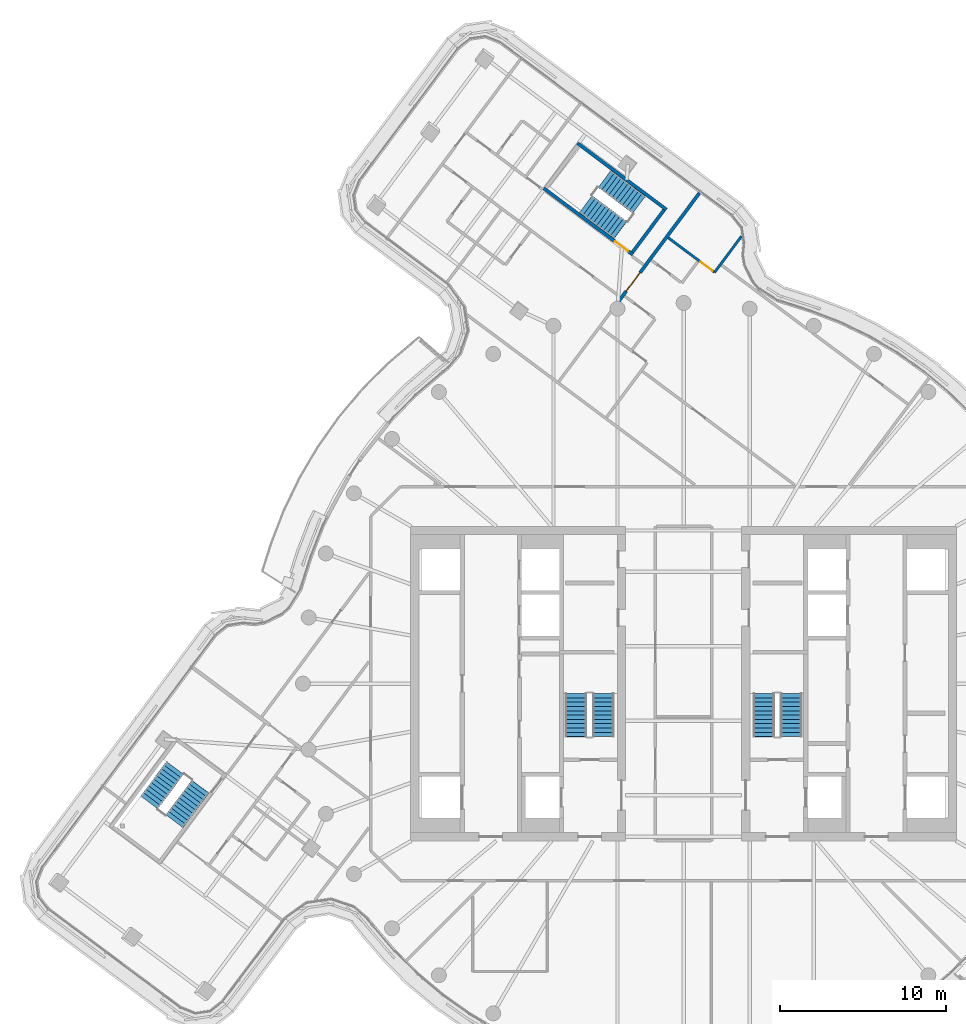
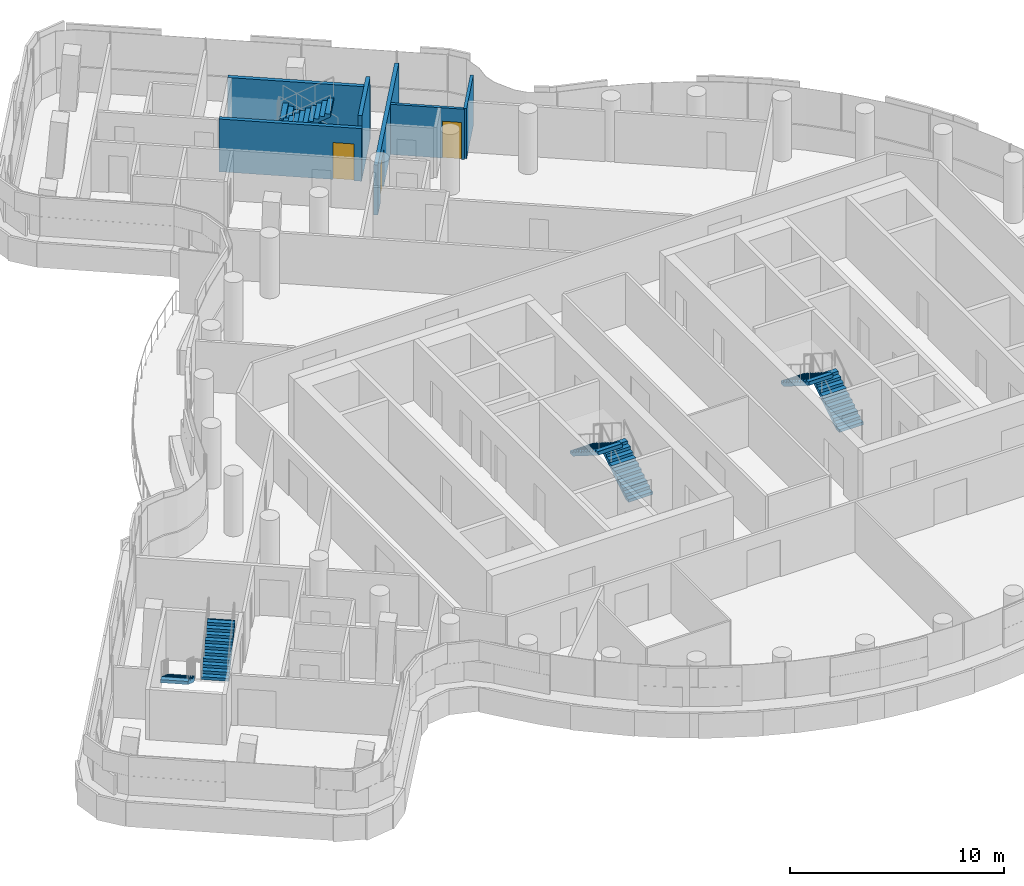
# One storey, part 21 of 27: 8 stair flights, 6 walls, 3 doors, 3 openings, 4 elements without a shape of their own.
"""IFC4 building model written with IfcOpenShell, lengths in metres."""

from ifc_helpers import new_model, si_unit, direction, frame, frame_2d, origin, place, context, subcontext, project, spatial, polyline, rectangle, outline, extrude, material, layer, layer_set, type_object, element, fill, aggregate, save


model = new_model("IFC4")

# Units and contexts
model_context = context("Model", 3, precision=1e-05, world=origin(), true_north=direction((0.0, 1.0)))
body_context = subcontext(model_context, "Body", "Model", "MODEL_VIEW")
ifc_project = project(units=[si_unit("LENGTHUNIT", "METRE"), si_unit("AREAUNIT", "SQUARE_METRE"), si_unit("VOLUMEUNIT", "CUBIC_METRE"), si_unit("PLANEANGLEUNIT", "RADIAN"), si_unit("MASSUNIT", "GRAM", prefix="KILO")], contexts=[model_context])

# Site, building, storey
site_placement = place(None, origin())
site = spatial("IfcSite", under=ifc_project, at=site_placement, CompositionType="ELEMENT")
building_placement = place(site_placement, origin())
building = spatial("IfcBuilding", under=site, at=building_placement, Name="Tamarind Cross Interchange Tower", CompositionType="ELEMENT")
storey_placement = place(building_placement, frame((0.0, 0.0, 227.10009765625)))
storey = spatial("IfcBuildingStorey", under=building, at=storey_placement, Name="L57", CompositionType="ELEMENT", Elevation=227.10009765625)

# Wall, opening, door
ifc_material_1 = material(Name="Gypsum board partition on steel studs", Category="steel")
ifc_layer_1 = layer(ifc_material_1, 0.14990234375)
ifc_layer_set_1 = layer_set([ifc_layer_1], Name="Gypsum board partition on steel studs")
wall_type_1 = type_object("IfcWallType", Name="Partition 150 mm EI 120", PredefinedType="PARTITIONING", material=ifc_layer_set_1)
wall_1_placement = place(storey_placement, frame((-0.932861328125, 26.937255859375, 0.0), z_axis=(0.0, 0.0, 1.0), x_axis=(0.801462729776, -0.598044724732, 0.0)))
wall_1 = element("IfcWall", 1, at=wall_1_placement, inside=storey, type_object=wall_type_1, Name="Partition L57-023", PredefinedType="PARTITIONING", context=body_context, shape_type="SweptSolid", body=[
    extrude(rectangle(XDim=3.479248046875, YDim=0.14990234375, at=frame_2d((1.73974609375, 0.0))), origin(), (0.0, 0.0, 1.0), 2.864013671875),
])
opening_1_placement = place(wall_1_placement, frame((2.44921875, 0.0, 0.0)))
opening_1 = element("IfcOpeningElement", 2, at=opening_1_placement, cuts=wall_1, Name="Opening D13", PredefinedType="OPENING", context=body_context, shape_type="SweptSolid", body=[
    extrude(rectangle(XDim=0.89990234375, YDim=2.10009765625, at=frame_2d((0.449951171875, 1.050048828125))), frame((0.0, 0.0849609375, 0.0), z_axis=(0.0, -1.0, 0.0), x_axis=(1.0, 0.0, 0.0)), (0.0, 0.0, 1.0), 0.169921875),
])
ifc_material_2 = material(Name="Fire-resisting door set")
door_type_1 = type_object("IfcDoorType", Name="Interior door 900 x 2100 FD60S", OperationType="SINGLE_SWING_LEFT", PredefinedType="DOOR", material=ifc_material_2)
door_1_placement = place(opening_1_placement, origin())
door_1 = element("IfcDoor", 3, at=door_1_placement, inside=storey, type_object=door_type_1, Name="Door D13", OperationType="SINGLE_SWING_LEFT", OverallHeight=2.10009765625, OverallWidth=0.89990234375, PredefinedType="DOOR", context=body_context, shape_type="SweptSolid", body=[
    extrude(rectangle(XDim=0.89990234375, YDim=2.10009765625, at=frame_2d((0.449951171875, 1.050048828125))), frame((0.0, 0.02490234375, 0.0), z_axis=(0.0, -1.0, 0.0), x_axis=(1.0, 0.0, 0.0)), (0.0, 0.0, 1.0), 0.050048828125),
])
fill(opening_1, door_1)

# Wall
wall_2_placement = place(storey_placement, frame((1.87158203125, 24.84521484375, 0.0), z_axis=(0.0, 0.0, 1.0), x_axis=(0.597735174372, 0.801693620605, 0.0)))
element("IfcWall", 4, at=wall_2_placement, inside=storey, type_object=wall_type_1, Name="Partition L57-054", PredefinedType="PARTITIONING", context=body_context, shape_type="SweptSolid", body=[
    extrude(rectangle(XDim=2.72802734375, YDim=0.14990234375, at=frame_2d((1.364013671875, 0.0))), origin(), (0.0, 0.0, 1.0), 2.864013671875),
])

# Wall, opening, door
ifc_layer_2 = layer(ifc_material_1, 0.199951171875)
ifc_layer_set_2 = layer_set([ifc_layer_2], Name="Gypsum board partition on steel studs")
wall_type_2 = type_object("IfcWallType", Name="Partition 200 mm EI 180", PredefinedType="PARTITIONING", material=ifc_layer_set_2)
wall_3_placement = place(storey_placement, frame((-4.029052734375, 22.953857421875, 0.0), z_axis=(0.0, 0.0, 1.0), x_axis=(0.597834716072, 0.80161939364, 0.0)))
wall_3 = element("IfcWall", 5, at=wall_3_placement, inside=storey, type_object=wall_type_2, Name="Partition L57-052", PredefinedType="PARTITIONING", context=body_context, shape_type="SweptSolid", body=[
    extrude(rectangle(XDim=8.343017578125, YDim=0.199951171875, at=frame_2d((4.17138671875, 0.0))), origin(), (0.0, 0.0, 1.0), 2.864013671875),
])
opening_2_placement = place(wall_3_placement, frame((0.944091796875, 0.0, 0.0)))
opening_2 = element("IfcOpeningElement", 6, at=opening_2_placement, cuts=wall_3, Name="Opening D30", PredefinedType="OPENING", context=body_context, shape_type="SweptSolid", body=[
    extrude(rectangle(XDim=1.39990234375, YDim=2.10009765625, at=frame_2d((0.699951171875, 1.050048828125))), frame((0.0, 0.10986328125, 0.0), z_axis=(0.0, -1.0, 0.0), x_axis=(1.0, 0.0, 0.0)), (0.0, 0.0, 1.0), 0.219970703125),
])
door_type_2 = type_object("IfcDoorType", Name="Interior door 1400 x 2100 FD120S", OperationType="DOUBLE_DOOR_SINGLE_SWING", PredefinedType="DOOR", material=ifc_material_2)
door_2_placement = place(opening_2_placement, frame((1.39990234375, 0.0, 0.0), z_axis=(0.0, 0.0, 1.0), x_axis=(-1.0, 0.0, 0.0)))
door_2 = element("IfcDoor", 7, at=door_2_placement, inside=storey, type_object=door_type_2, Name="Door D30", OperationType="DOUBLE_DOOR_SINGLE_SWING", OverallHeight=2.10009765625, OverallWidth=1.39990234375, PredefinedType="DOOR", context=body_context, shape_type="SweptSolid", body=[
    extrude(rectangle(XDim=1.39990234375, YDim=2.10009765625, at=frame_2d((0.699951171875, 1.050048828125))), frame((0.0, 0.02490234375, 0.0), z_axis=(0.0, -1.0, 0.0), x_axis=(1.0, 0.0, 0.0)), (0.0, 0.0, 1.0), 0.050048828125),
])
fill(opening_2, door_2)

ifc_material_3 = material(Name="Concrete C40", Category="concrete")
ifc_layer_3 = layer(ifc_material_3, 0.199951171875)
ifc_layer_set_3 = layer_set([ifc_layer_3], Name="Concrete C40")
wall_type_3 = type_object("IfcWallType", Name="Stair shaft wall 200 mm Concrete C40", PredefinedType="SHEAR", material=ifc_layer_set_3)
wall_4_placement = place(storey_placement, frame((-3.070556640625, 25.91162109375, -0.14013671875), z_axis=(0.0, 0.0, 1.0), x_axis=(-0.801610604225, 0.597846501365, 0.0)))
wall_4 = element("IfcWall", 8, at=wall_4_placement, inside=storey, type_object=wall_type_3, Name="Core wall CWL-L57-ST4-H", PredefinedType="SHEAR", context=body_context, shape_type="SweptSolid", body=[
    extrude(rectangle(XDim=6.699951171875, YDim=0.199951171875, at=frame_2d((3.35009765625, 0.0))), origin(), (0.0, 0.0, 1.0), 3.004150390625),
])
opening_3_placement = place(wall_4_placement, frame((0.35009765625, 0.0, 0.0)))
opening_3 = element("IfcOpeningElement", 9, at=opening_3_placement, cuts=wall_4, Name="Opening ST4L57", PredefinedType="OPENING", context=body_context, shape_type="SweptSolid", body=[
    extrude(rectangle(XDim=1.0, YDim=2.10009765625, at=frame_2d((0.5, 1.050048828125))), frame((0.0, 0.10986328125, 0.0), z_axis=(0.0, -1.0, 0.0), x_axis=(1.0, 0.0, 0.0)), (0.0, 0.0, 1.0), 0.219970703125),
])
ifc_material_4 = material(Name="Steel, fire-resisting", Category="steel")
door_type_3 = type_object("IfcDoorType", Name="Core fire door 1000 x 2100 FD90", OperationType="SINGLE_SWING_LEFT", PredefinedType="DOOR", material=ifc_material_4)
door_3_placement = place(opening_3_placement, origin())
door_3 = element("IfcDoor", 10, at=door_3_placement, inside=storey, type_object=door_type_3, Name="L57 stair door ST4", OperationType="SINGLE_SWING_LEFT", OverallHeight=2.10009765625, OverallWidth=1.0, PredefinedType="DOOR", context=body_context, shape_type="SweptSolid", body=[
    extrude(rectangle(XDim=1.0, YDim=2.10009765625, at=frame_2d((0.5, 1.050048828125))), frame((0.0, 0.02490234375, 0.0), z_axis=(0.0, -1.0, 0.0), x_axis=(1.0, 0.0, 0.0)), (0.0, 0.0, 1.0), 0.050048828125),
])
fill(opening_3, door_3)

# Walls
wall_5_placement = place(storey_placement, frame((-1.037841796875, 28.63720703125, -0.14013671875), z_axis=(0.0, 0.0, 1.0), x_axis=(-0.801628067055, 0.597823085963, 0.0)))
element("IfcWall", 11, at=wall_5_placement, inside=storey, type_object=wall_type_3, Name="Core wall CWL-L57-ST4-C", PredefinedType="SHEAR", context=body_context, shape_type="SweptSolid", body=[
    extrude(rectangle(XDim=6.699951171875, YDim=0.199951171875, at=frame_2d((3.35009765625, 0.0))), origin(), (0.0, 0.0, 1.0), 3.004150390625),
])
wall_6_placement = place(storey_placement, frame((-1.177978515625, 28.61669921875, -0.14013671875), z_axis=(0.0, 0.0, 1.0), x_axis=(-0.597873739401, -0.801590289197, 0.0)))
element("IfcWall", 12, at=wall_6_placement, inside=storey, type_object=wall_type_3, Name="Core wall CWL-L57-ST4-CE", PredefinedType="SHEAR", context=body_context, shape_type="SweptSolid", body=[
    extrude(rectangle(XDim=3.19970703125, YDim=0.199951171875, at=frame_2d((1.599853515625, 0.0))), origin(), (0.0, 0.0, 1.0), 3.60009765625),
])

# Stair, stair flights
ifc_material_5 = material(Name="Exit stair")
stair_type = type_object("IfcStairType", Name="Exit stair", PredefinedType="HALF_TURN_STAIR", material=ifc_material_5)
stair_1_placement = place(storey_placement, origin())
stair_1 = element("IfcStair", 13, at=stair_1_placement, inside=storey, type_object=stair_type, Name="L57 exit stair ST1", PredefinedType="HALF_TURN_STAIR")
ifc_material_6 = material(Name="Exit stair flight")
stair_flight_type = type_object("IfcStairFlightType", Name="Exit stair flight", PredefinedType="STRAIGHT", material=ifc_material_6)
stair_flight_1_placement = place(storey_placement, frame((-4.85009765625, -3.199951171875, 0.0), z_axis=(0.0, 0.0, 1.0), x_axis=(0.0, 1.0, 0.0)))
stair_flight_1 = element("IfcStairFlight", 14, at=stair_flight_1_placement, type_object=stair_flight_type, Name="ST1 flight 1", NumberOfRisers=11, NumberOfTreads=10, PredefinedType="STRAIGHT", RiserHeight=0.163636364, TreadLength=0.26, context=body_context, shape_type="SweptSolid", body=[
    extrude(outline(polyline([(0.0, 0.0), (0.0, 0.16357421875), (0.260009765625, 0.16357421875), (0.260009765625, 0.327392578125), (0.52001953125, 0.327392578125), (0.52001953125, 0.490966796875), (0.780029296875, 0.490966796875), (0.780029296875, 0.654541015625), (1.0400390625, 0.654541015625), (1.0400390625, 0.818115234375), (1.300048828125, 0.818115234375), (1.300048828125, 0.98193359375), (1.56005859375, 0.98193359375), (1.56005859375, 1.1455078125), (1.820068359375, 1.1455078125), (1.820068359375, 1.30908203125), (2.080078125, 1.30908203125), (2.080078125, 1.47265625), (2.340087890625, 1.47265625), (2.340087890625, 1.636474609375), (2.60009765625, 1.636474609375), (2.60009765625, 1.800048828125), (2.60009765625, 1.459228515625), (0.281494140625, 0.0), (0.0, 0.0)])), frame((0.0, 0.64990234375, 0.0), z_axis=(0.0, -1.0, 0.0), x_axis=(1.0, 0.0, 0.0)), (0.0, 0.0, 1.0), 1.300048828125),
])
stair_flight_2_placement = place(storey_placement, frame((-6.5, -0.60009765625, 1.7998046875), z_axis=(0.0, 0.0, 1.0), x_axis=(0.0, -1.0, 0.0)))
stair_flight_2 = element("IfcStairFlight", 15, at=stair_flight_2_placement, type_object=stair_flight_type, Name="ST1 flight 2", NumberOfRisers=11, NumberOfTreads=10, PredefinedType="STRAIGHT", RiserHeight=0.163636364, TreadLength=0.26, context=body_context, shape_type="SweptSolid", body=[
    extrude(outline(polyline([(0.0, 0.0), (0.0, 0.16357421875), (0.260009765625, 0.16357421875), (0.260009765625, 0.327392578125), (0.52001953125, 0.327392578125), (0.52001953125, 0.490966796875), (0.780029296875, 0.490966796875), (0.780029296875, 0.654541015625), (1.0400390625, 0.654541015625), (1.0400390625, 0.818115234375), (1.300048828125, 0.818115234375), (1.300048828125, 0.98193359375), (1.56005859375, 0.98193359375), (1.56005859375, 1.1455078125), (1.820068359375, 1.1455078125), (1.820068359375, 1.30908203125), (2.080078125, 1.30908203125), (2.080078125, 1.47265625), (2.340087890625, 1.47265625), (2.340087890625, 1.636474609375), (2.60009765625, 1.636474609375), (2.60009765625, 1.679931640625), (2.612060546875, 1.679931640625), (2.612060546875, 1.466796875), (0.281494140625, 0.0), (0.0, 0.0)])), frame((0.0, 0.64990234375, 0.0), z_axis=(0.0, -1.0, 0.0), x_axis=(1.0, 0.0, 0.0)), (0.0, 0.0, 1.0), 1.300048828125),
])
aggregate(stair_1, [stair_flight_1, stair_flight_2])

stair_2_placement = place(storey_placement, origin())
stair_2 = element("IfcStair", 16, at=stair_2_placement, inside=storey, type_object=stair_type, Name="L57 exit stair ST2", PredefinedType="HALF_TURN_STAIR")
stair_flight_3_placement = place(storey_placement, frame((6.5, -3.199951171875, 0.0), z_axis=(0.0, 0.0, 1.0), x_axis=(0.0, 1.0, 0.0)))
stair_flight_3 = element("IfcStairFlight", 17, at=stair_flight_3_placement, type_object=stair_flight_type, Name="ST2 flight 1", NumberOfRisers=11, NumberOfTreads=10, PredefinedType="STRAIGHT", RiserHeight=0.163636364, TreadLength=0.26, context=body_context, shape_type="SweptSolid", body=[
    extrude(outline(polyline([(0.0, 0.0), (0.0, 0.16357421875), (0.260009765625, 0.16357421875), (0.260009765625, 0.327392578125), (0.52001953125, 0.327392578125), (0.52001953125, 0.490966796875), (0.780029296875, 0.490966796875), (0.780029296875, 0.654541015625), (1.0400390625, 0.654541015625), (1.0400390625, 0.818115234375), (1.300048828125, 0.818115234375), (1.300048828125, 0.98193359375), (1.56005859375, 0.98193359375), (1.56005859375, 1.1455078125), (1.820068359375, 1.1455078125), (1.820068359375, 1.30908203125), (2.080078125, 1.30908203125), (2.080078125, 1.47265625), (2.340087890625, 1.47265625), (2.340087890625, 1.636474609375), (2.60009765625, 1.636474609375), (2.60009765625, 1.800048828125), (2.60009765625, 1.459228515625), (0.281494140625, 0.0), (0.0, 0.0)])), frame((0.0, 0.64990234375, 0.0), z_axis=(0.0, -1.0, 0.0), x_axis=(1.0, 0.0, 0.0)), (0.0, 0.0, 1.0), 1.300048828125),
])
stair_flight_4_placement = place(storey_placement, frame((4.85009765625, -0.60009765625, 1.7998046875), z_axis=(0.0, 0.0, 1.0), x_axis=(0.0, -1.0, 0.0)))
stair_flight_4 = element("IfcStairFlight", 18, at=stair_flight_4_placement, type_object=stair_flight_type, Name="ST2 flight 2", NumberOfRisers=11, NumberOfTreads=10, PredefinedType="STRAIGHT", RiserHeight=0.163636364, TreadLength=0.26, context=body_context, shape_type="SweptSolid", body=[
    extrude(outline(polyline([(0.0, 0.0), (0.0, 0.16357421875), (0.260009765625, 0.16357421875), (0.260009765625, 0.327392578125), (0.52001953125, 0.327392578125), (0.52001953125, 0.490966796875), (0.780029296875, 0.490966796875), (0.780029296875, 0.654541015625), (1.0400390625, 0.654541015625), (1.0400390625, 0.818115234375), (1.300048828125, 0.818115234375), (1.300048828125, 0.98193359375), (1.56005859375, 0.98193359375), (1.56005859375, 1.1455078125), (1.820068359375, 1.1455078125), (1.820068359375, 1.30908203125), (2.080078125, 1.30908203125), (2.080078125, 1.47265625), (2.340087890625, 1.47265625), (2.340087890625, 1.636474609375), (2.60009765625, 1.636474609375), (2.60009765625, 1.679931640625), (2.612060546875, 1.679931640625), (2.612060546875, 1.466796875), (0.281494140625, 0.0), (0.0, 0.0)])), frame((0.0, 0.64990234375, 0.0), z_axis=(0.0, -1.0, 0.0), x_axis=(1.0, 0.0, 0.0)), (0.0, 0.0, 1.0), 1.300048828125),
])
aggregate(stair_2, [stair_flight_3, stair_flight_4])

stair_3_placement = place(storey_placement, origin())
stair_3 = element("IfcStair", 19, at=stair_3_placement, inside=storey, type_object=stair_type, Name="L57 exit stair ST4", PredefinedType="HALF_TURN_STAIR")
stair_flight_5_placement = place(storey_placement, frame((-2.688720703125, 28.932861328125, 0.0), z_axis=(0.0, 0.0, 1.0), x_axis=(-0.801617072029, 0.597837829041, 0.0)))
stair_flight_5 = element("IfcStairFlight", 20, at=stair_flight_5_placement, type_object=stair_flight_type, Name="ST4 flight 1", NumberOfRisers=11, NumberOfTreads=10, PredefinedType="STRAIGHT", RiserHeight=0.163636364, TreadLength=0.26, context=body_context, shape_type="SweptSolid", body=[
    extrude(outline(polyline([(0.0, 0.0), (0.0, 0.16357421875), (0.260009765625, 0.16357421875), (0.260009765625, 0.327392578125), (0.52001953125, 0.327392578125), (0.52001953125, 0.490966796875), (0.780029296875, 0.490966796875), (0.780029296875, 0.654541015625), (1.0400390625, 0.654541015625), (1.0400390625, 0.818115234375), (1.300048828125, 0.818115234375), (1.300048828125, 0.98193359375), (1.56005859375, 0.98193359375), (1.56005859375, 1.1455078125), (1.820068359375, 1.1455078125), (1.820068359375, 1.30908203125), (2.080078125, 1.30908203125), (2.080078125, 1.47265625), (2.340087890625, 1.47265625), (2.340087890625, 1.636474609375), (2.60009765625, 1.636474609375), (2.60009765625, 1.800048828125), (2.60009765625, 1.459228515625), (0.281494140625, 0.0), (0.0, 0.0)])), frame((0.0, 0.64990234375, 0.0), z_axis=(0.0, -1.0, 0.0), x_axis=(1.0, 0.0, 0.0)), (0.0, 0.0, 1.0), 1.300048828125),
])
stair_flight_6_placement = place(storey_placement, frame((-5.908935546875, 28.964111328125, 1.7998046875), z_axis=(0.0, 0.0, 1.0), x_axis=(0.801617072029, -0.597837829041, 0.0)))
stair_flight_6 = element("IfcStairFlight", 21, at=stair_flight_6_placement, type_object=stair_flight_type, Name="ST4 flight 2", NumberOfRisers=11, NumberOfTreads=10, PredefinedType="STRAIGHT", RiserHeight=0.163636364, TreadLength=0.26, context=body_context, shape_type="SweptSolid", body=[
    extrude(outline(polyline([(0.0, 0.0), (0.0, 0.16357421875), (0.260009765625, 0.16357421875), (0.260009765625, 0.327392578125), (0.52001953125, 0.327392578125), (0.52001953125, 0.490966796875), (0.780029296875, 0.490966796875), (0.780029296875, 0.654541015625), (1.0400390625, 0.654541015625), (1.0400390625, 0.818115234375), (1.300048828125, 0.818115234375), (1.300048828125, 0.98193359375), (1.56005859375, 0.98193359375), (1.56005859375, 1.1455078125), (1.820068359375, 1.1455078125), (1.820068359375, 1.30908203125), (2.080078125, 1.30908203125), (2.080078125, 1.47265625), (2.340087890625, 1.47265625), (2.340087890625, 1.636474609375), (2.60009765625, 1.636474609375), (2.60009765625, 1.679931640625), (2.612060546875, 1.679931640625), (2.612060546875, 1.466796875), (0.281494140625, 0.0), (0.0, 0.0)])), frame((0.0, 0.64990234375, 0.0), z_axis=(0.0, -1.0, 0.0), x_axis=(1.0, 0.0, 0.0)), (0.0, 0.0, 1.0), 1.300048828125),
])
aggregate(stair_3, [stair_flight_5, stair_flight_6])

stair_4_placement = place(storey_placement, origin())
stair_4 = element("IfcStair", 22, at=stair_4_placement, inside=storey, type_object=stair_type, Name="L57 exit stair ST5", PredefinedType="HALF_TURN_STAIR")
stair_flight_7_placement = place(storey_placement, frame((-30.726318359375, -5.093505859375, 0.0), z_axis=(0.0, 0.0, 1.0), x_axis=(-0.597837829041, -0.801617072029, 0.0)))
stair_flight_7 = element("IfcStairFlight", 23, at=stair_flight_7_placement, type_object=stair_flight_type, Name="ST5 flight 1", NumberOfRisers=11, NumberOfTreads=10, PredefinedType="STRAIGHT", RiserHeight=0.163636364, TreadLength=0.26, context=body_context, shape_type="SweptSolid", body=[
    extrude(outline(polyline([(0.0, 0.0), (0.0, 0.16357421875), (0.260009765625, 0.16357421875), (0.260009765625, 0.327392578125), (0.52001953125, 0.327392578125), (0.52001953125, 0.490966796875), (0.780029296875, 0.490966796875), (0.780029296875, 0.654541015625), (1.0400390625, 0.654541015625), (1.0400390625, 0.818115234375), (1.300048828125, 0.818115234375), (1.300048828125, 0.98193359375), (1.56005859375, 0.98193359375), (1.56005859375, 1.1455078125), (1.820068359375, 1.1455078125), (1.820068359375, 1.30908203125), (2.080078125, 1.30908203125), (2.080078125, 1.47265625), (2.340087890625, 1.47265625), (2.340087890625, 1.636474609375), (2.60009765625, 1.636474609375), (2.60009765625, 1.800048828125), (2.60009765625, 1.459228515625), (0.281494140625, 0.0), (0.0, 0.0)])), frame((0.0, 0.64990234375, 0.0), z_axis=(0.0, -1.0, 0.0), x_axis=(1.0, 0.0, 0.0)), (0.0, 0.0, 1.0), 1.300048828125),
])
stair_flight_8_placement = place(storey_placement, frame((-30.757568359375, -8.313720703125, 1.7998046875), z_axis=(0.0, 0.0, 1.0), x_axis=(0.597837829041, 0.801617072029, 0.0)))
stair_flight_8 = element("IfcStairFlight", 24, at=stair_flight_8_placement, type_object=stair_flight_type, Name="ST5 flight 2", NumberOfRisers=11, NumberOfTreads=10, PredefinedType="STRAIGHT", RiserHeight=0.163636364, TreadLength=0.26, context=body_context, shape_type="SweptSolid", body=[
    extrude(outline(polyline([(0.0, 0.0), (0.0, 0.16357421875), (0.260009765625, 0.16357421875), (0.260009765625, 0.327392578125), (0.52001953125, 0.327392578125), (0.52001953125, 0.490966796875), (0.780029296875, 0.490966796875), (0.780029296875, 0.654541015625), (1.0400390625, 0.654541015625), (1.0400390625, 0.818115234375), (1.300048828125, 0.818115234375), (1.300048828125, 0.98193359375), (1.56005859375, 0.98193359375), (1.56005859375, 1.1455078125), (1.820068359375, 1.1455078125), (1.820068359375, 1.30908203125), (2.080078125, 1.30908203125), (2.080078125, 1.47265625), (2.340087890625, 1.47265625), (2.340087890625, 1.636474609375), (2.60009765625, 1.636474609375), (2.60009765625, 1.679931640625), (2.612060546875, 1.679931640625), (2.612060546875, 1.466796875), (0.281494140625, 0.0), (0.0, 0.0)])), frame((0.0, 0.64990234375, 0.0), z_axis=(0.0, -1.0, 0.0), x_axis=(1.0, 0.0, 0.0)), (0.0, 0.0, 1.0), 1.300048828125),
])
aggregate(stair_4, [stair_flight_7, stair_flight_8])

save(model, "model.ifc")
